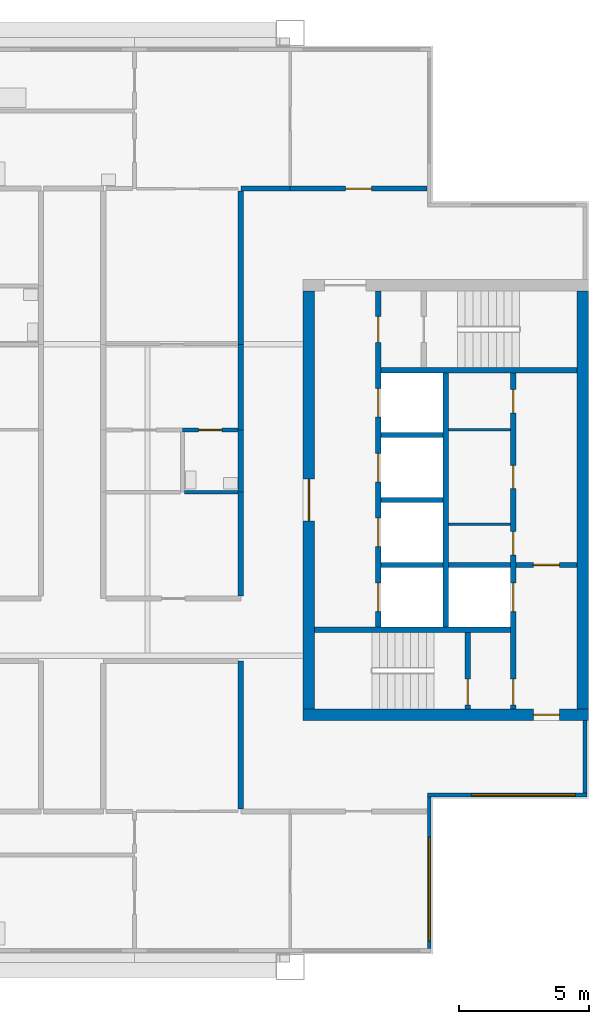
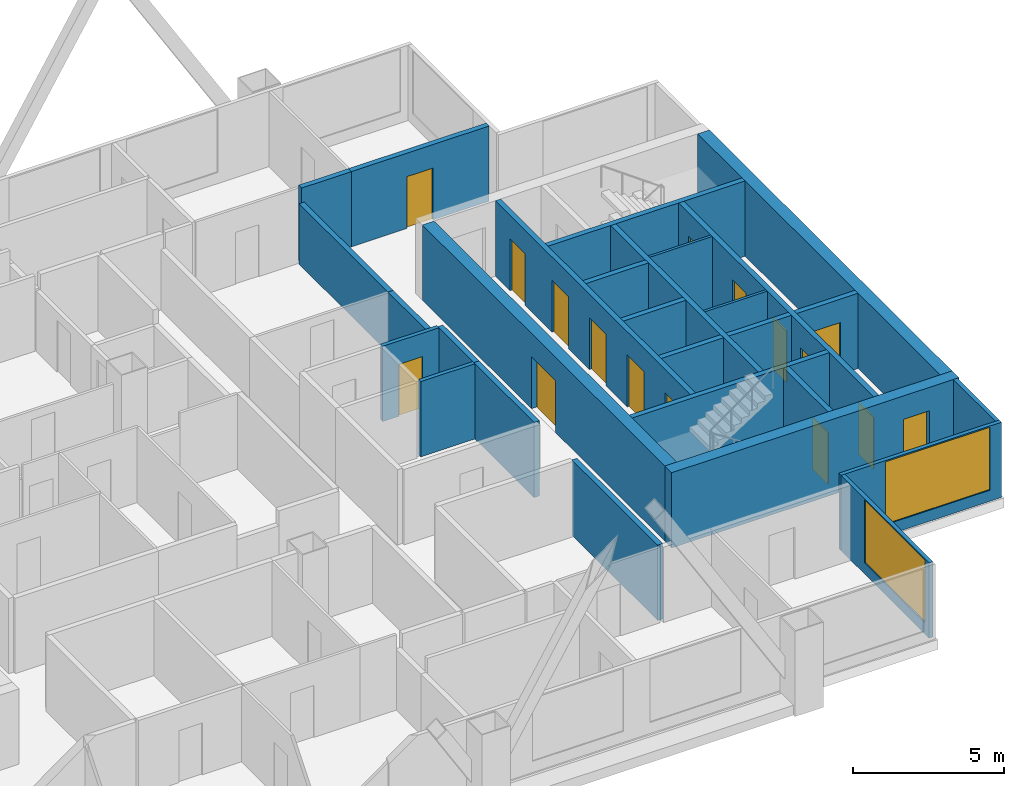
# One storey, part 5 of 9: 28 walls, 16 doors, 2 windows, 18 openings.
"""IFC4 building model written with IfcOpenShell, lengths in metres."""

from ifc_helpers import new_model, si_unit, direction, frame, frame_2d, origin, place, context, subcontext, project, spatial, rectangle, extrude, material, layer, layer_set, type_object, element, fill, save


model = new_model("IFC4")

# Units and contexts
model_context = context("Model", 3, precision=1e-05, world=origin(), true_north=direction((0.0, 1.0)))
body_context = subcontext(model_context, "Body", "Model", "MODEL_VIEW")
ifc_project = project(units=[si_unit("LENGTHUNIT", "METRE"), si_unit("AREAUNIT", "SQUARE_METRE"), si_unit("VOLUMEUNIT", "CUBIC_METRE"), si_unit("PLANEANGLEUNIT", "RADIAN"), si_unit("MASSUNIT", "GRAM", prefix="KILO")], contexts=[model_context])

# Site, building, storey
site_placement = place(None, origin())
site = spatial("IfcSite", under=ifc_project, at=site_placement, CompositionType="ELEMENT")
building_placement = place(site_placement, origin())
building = spatial("IfcBuilding", under=site, at=building_placement, Name="Kitamizu Gate Tower and Museum", CompositionType="ELEMENT")
storey_placement = place(building_placement, frame((0.0, 0.0, 217.949951171875)))
storey = spatial("IfcBuildingStorey", under=building, at=storey_placement, Name="L58", CompositionType="ELEMENT", Elevation=217.949951171875)

# Wall, opening, door
ifc_material_1 = material(Name="Concrete Fc42", Category="concrete")
ifc_layer_1 = layer(ifc_material_1, 0.449951171875)
ifc_layer_set_1 = layer_set([ifc_layer_1], Name="Concrete Fc42")
wall_type_1 = type_object("IfcWallType", Name="Core wall 450", PredefinedType="SHEAR", material=ifc_layer_set_1)
wall_1_placement = place(storey_placement, frame((59.5, 21.72509765625, 0.0), z_axis=(0.0, 0.0, 1.0), x_axis=(-1.0, 0.0, 0.0)))
wall_1 = element("IfcWall", 1, at=wall_1_placement, inside=storey, type_object=wall_type_1, Name="Core wall ES", PredefinedType="SHEAR", context=body_context, shape_type="SweptSolid", body=[
    extrude(rectangle(XDim=11.0, YDim=0.449951171875, at=frame_2d((5.5, 0.0))), origin(), (0.0, 0.0, 1.0), 3.050048828125),
])
opening_1_placement = place(wall_1_placement, frame((1.125, 0.0, 0.0)))
opening_1 = element("IfcOpeningElement", 2, at=opening_1_placement, cuts=wall_1, Name="Opening L58-050", PredefinedType="OPENING", context=body_context, shape_type="SweptSolid", body=[
    extrude(rectangle(XDim=1.0, YDim=2.10009765625, at=frame_2d((0.5, 1.050048828125))), frame((0.0, 0.23486328125, 0.0), z_axis=(0.0, -1.0, 0.0), x_axis=(1.0, 0.0, 0.0)), (0.0, 0.0, 1.0), 0.469970703125),
])
ifc_material_2 = material(Name="Hollow metal door set")
door_type_1 = type_object("IfcDoorType", Name="Fire door 1000", OperationType="NOTDEFINED", PredefinedType="DOOR", material=ifc_material_2)
door_1_placement = place(opening_1_placement, frame((1.0, 0.0, 0.0), x_axis=(-1.0, 0.0, 0.0)))
door_1 = element("IfcDoor", 3, at=door_1_placement, inside=storey, type_object=door_type_1, Name="Fire-fighting lobby door L58-050", OperationType="SINGLE_SWING_LEFT", OverallHeight=2.10009765625, OverallWidth=1.0, PredefinedType="DOOR", context=body_context, shape_type="SweptSolid", body=[
    extrude(rectangle(XDim=1.0, YDim=2.10009765625, at=frame_2d((0.5, 1.050048828125))), frame((0.0, 0.02490234375, 0.0), z_axis=(0.0, -1.0, 0.0), x_axis=(1.0, 0.0, 0.0)), (0.0, 0.0, 1.0), 0.050048828125),
])
fill(opening_1, door_1)

# Wall
wall_2_placement = place(storey_placement, frame((59.27490234375, 21.949951171875, 0.0), z_axis=(0.0, 0.0, 1.0), x_axis=(0.0, 1.0, 0.0)))
element("IfcWall", 4, at=wall_2_placement, inside=storey, type_object=wall_type_1, Name="Core wall EOUT", PredefinedType="SHEAR", context=body_context, shape_type="SweptSolid", body=[
    extrude(rectangle(XDim=16.10009765625, YDim=0.449951171875, at=frame_2d((8.050048828125, 0.0))), origin(), (0.0, 0.0, 1.0), 3.050048828125),
])

# Wall, opening, door
wall_3_placement = place(storey_placement, frame((48.72509765625, 21.949951171875, 0.0), z_axis=(0.0, 0.0, 1.0), x_axis=(0.0, 1.0, 0.0)))
wall_3 = element("IfcWall", 5, at=wall_3_placement, inside=storey, type_object=wall_type_1, Name="Core wall EARC", PredefinedType="SHEAR", context=body_context, shape_type="SweptSolid", body=[
    extrude(rectangle(XDim=16.10009765625, YDim=0.449951171875, at=frame_2d((8.050048828125, 0.0))), origin(), (0.0, 0.0, 1.0), 3.050048828125),
])
opening_2_placement = place(wall_3_placement, frame((7.25, 0.0, 0.0)))
opening_2 = element("IfcOpeningElement", 6, at=opening_2_placement, cuts=wall_3, Name="Opening L58-052", PredefinedType="OPENING", context=body_context, shape_type="SweptSolid", body=[
    extrude(rectangle(XDim=1.60009765625, YDim=2.10009765625, at=frame_2d((0.800048828125, 1.050048828125))), frame((0.0, 0.23486328125, 0.0), z_axis=(0.0, -1.0, 0.0), x_axis=(1.0, 0.0, 0.0)), (0.0, 0.0, 1.0), 0.469970703125),
])
ifc_material_3 = material(Name="Timber door set", Category="wood")
door_type_2 = type_object("IfcDoorType", Name="Entrance door 1600", OperationType="DOUBLE_DOOR_SINGLE_SWING", PredefinedType="DOOR", material=ifc_material_3)
door_2_placement = place(opening_2_placement, origin())
door_2 = element("IfcDoor", 7, at=door_2_placement, inside=storey, type_object=door_type_2, Name="Lobby door L58-052", OperationType="DOUBLE_DOOR_SINGLE_SWING", OverallHeight=2.10009765625, OverallWidth=1.60009765625, PredefinedType="DOOR", context=body_context, shape_type="SweptSolid", body=[
    extrude(rectangle(XDim=1.60009765625, YDim=2.10009765625, at=frame_2d((0.800048828125, 1.050048828125))), frame((0.0, 0.02490234375, 0.0), z_axis=(0.0, -1.0, 0.0), x_axis=(1.0, 0.0, 0.0)), (0.0, 0.0, 1.0), 0.050048828125),
])
fill(opening_2, door_2)

# Walls
ifc_material_4 = material(Name="Gypsum board on galvanised stud")
ifc_layer_2 = layer(ifc_material_4, 0.10009765625)
ifc_layer_set_2 = layer_set([ifc_layer_2], Name="Gypsum board on galvanised stud")
wall_type_2 = type_object("IfcWallType", Name="Partition 100", PredefinedType="PARTITIONING", material=ifc_layer_set_2)
for number, where, z_axis, x_axis, name in (
    (8, (56.5, 29.06005859375, 0.0), (0.0, 0.0, 1.0), (-1.0, 0.0, 0.0), "Partition EPF1"),
    (9, (56.5, 32.7099609375, 0.0), (0.0, 0.0, 1.0), (-1.0, 0.0, 0.0), "Partition EPF2"),
):
    element("IfcWall", number, at=place(storey_placement, frame(where, z_axis=z_axis, x_axis=x_axis)), inside=storey, type_object=wall_type_2, Name=name, PredefinedType="PARTITIONING", context=body_context, shape_type="SweptSolid", body=[
        extrude(rectangle(XDim=2.39990234375, YDim=0.10009765625, at=frame_2d((1.199951171875, 0.0))), origin(), (0.0, 0.0, 1.0), 3.050048828125),
    ])

# Wall, opening, door
ifc_material_5 = material(Name="Gypsum board on galvanised stud")
ifc_layer_3 = layer(ifc_material_5, 0.14990234375)
ifc_layer_set_3 = layer_set([ifc_layer_3], Name="Gypsum board on galvanised stud")
wall_type_3 = type_object("IfcWallType", Name="Partition 150", PredefinedType="PARTITIONING", material=ifc_layer_set_3)
wall_4_placement = place(storey_placement, frame((43.85009765625, 32.699951171875, 0.0), z_axis=(0.0, 0.0, 1.0), x_axis=(1.0, 0.0, 0.0)))
wall_4 = element("IfcWall", 10, at=wall_4_placement, inside=storey, type_object=wall_type_3, Name="Partition L58-083", PredefinedType="PARTITIONING", context=body_context, shape_type="SweptSolid", body=[
    extrude(rectangle(XDim=2.14990234375, YDim=0.14990234375, at=frame_2d((1.074951171875, 0.0))), origin(), (0.0, 0.0, 1.0), 3.050048828125),
])
opening_3_placement = place(wall_4_placement, frame((0.625, 0.0, 0.0)))
opening_3 = element("IfcOpeningElement", 11, at=opening_3_placement, cuts=wall_4, Name="Opening L58-031", PredefinedType="OPENING", context=body_context, shape_type="SweptSolid", body=[
    extrude(rectangle(XDim=0.89990234375, YDim=2.10009765625, at=frame_2d((0.449951171875, 1.050048828125))), frame((0.0, 0.0849609375, 0.0), z_axis=(0.0, -1.0, 0.0), x_axis=(1.0, 0.0, 0.0)), (0.0, 0.0, 1.0), 0.169921875),
])
ifc_material_6 = material(Name="Timber door set", Category="wood")
door_type_3 = type_object("IfcDoorType", Name="Bathroom door 900", OperationType="NOTDEFINED", PredefinedType="DOOR", material=ifc_material_6)
door_3_placement = place(opening_3_placement, frame((0.89990234375, 0.0, 0.0), x_axis=(-1.0, 0.0, 0.0)))
door_3 = element("IfcDoor", 12, at=door_3_placement, inside=storey, type_object=door_type_3, Name="Bathroom door L58-031", OperationType="SINGLE_SWING_RIGHT", OverallHeight=2.10009765625, OverallWidth=0.89990234375, PredefinedType="DOOR", context=body_context, shape_type="SweptSolid", body=[
    extrude(rectangle(XDim=0.89990234375, YDim=2.10009765625, at=frame_2d((0.449951171875, 1.050048828125))), frame((0.0, 0.02490234375, 0.0), z_axis=(0.0, -1.0, 0.0), x_axis=(1.0, 0.0, 0.0)), (0.0, 0.0, 1.0), 0.050048828125),
])
fill(opening_3, door_3)

# Walls
wall_5_placement = place(storey_placement, frame((43.925048828125, 30.300048828125, 0.0), z_axis=(0.0, 0.0, 1.0), x_axis=(1.0, 0.0, 0.0)))
element("IfcWall", 13, at=wall_5_placement, inside=storey, type_object=wall_type_3, Name="Partition L58-088", PredefinedType="PARTITIONING", context=body_context, shape_type="SweptSolid", body=[
    extrude(rectangle(XDim=2.074951171875, YDim=0.14990234375, at=frame_2d((1.03759765625, 0.0))), origin(), (0.0, 0.0, 1.0), 3.050048828125),
])
ifc_material_7 = material(Name="Gypsum board on galvanised stud")
ifc_layer_4 = layer(ifc_material_7, 0.199951171875)
ifc_layer_set_4 = layer_set([ifc_layer_4], Name="Gypsum board on galvanised stud")
wall_type_4 = type_object("IfcWallType", Name="Partition 200", PredefinedType="PARTITIONING", material=ifc_layer_set_4)
wall_6_placement = place(storey_placement, frame((46.10009765625, 18.10009765625, 0.0), z_axis=(0.0, 0.0, 1.0), x_axis=(0.0, 1.0, 0.0)))
element("IfcWall", 14, at=wall_6_placement, inside=storey, type_object=wall_type_4, Name="Partition L58-028", PredefinedType="PARTITIONING", context=body_context, shape_type="SweptSolid", body=[
    extrude(rectangle(XDim=5.699951171875, YDim=0.199951171875, at=frame_2d((2.85009765625, 0.0))), origin(), (0.0, 0.0, 1.0), 3.050048828125),
])
wall_7_placement = place(storey_placement, frame((46.10009765625, 42.0, 0.0), z_axis=(0.0, 0.0, 1.0), x_axis=(1.0, 0.0, 0.0)))
element("IfcWall", 15, at=wall_7_placement, inside=storey, type_object=wall_type_4, Name="Partition L58-078", PredefinedType="PARTITIONING", context=body_context, shape_type="SweptSolid", body=[
    extrude(rectangle(XDim=1.89990234375, YDim=0.199951171875, at=frame_2d((0.949951171875, 0.0))), origin(), (0.0, 0.0, 1.0), 3.050048828125),
])

# Wall, opening, door
wall_8_placement = place(storey_placement, frame((48.0, 42.0, 0.0), z_axis=(0.0, 0.0, 1.0), x_axis=(1.0, 0.0, 0.0)))
wall_8 = element("IfcWall", 16, at=wall_8_placement, inside=storey, type_object=wall_type_4, Name="Partition L58-079", PredefinedType="PARTITIONING", context=body_context, shape_type="SweptSolid", body=[
    extrude(rectangle(XDim=5.280029296875, YDim=0.199951171875, at=frame_2d((2.64013671875, 0.0))), origin(), (0.0, 0.0, 1.0), 3.050048828125),
])
opening_4_placement = place(wall_8_placement, frame((2.139892578125, 0.0, 0.0)))
opening_4 = element("IfcOpeningElement", 17, at=opening_4_placement, cuts=wall_8, Name="Opening L58-025", PredefinedType="OPENING", context=body_context, shape_type="SweptSolid", body=[
    extrude(rectangle(XDim=1.0, YDim=2.10009765625, at=frame_2d((0.5, 1.050048828125))), frame((0.0, 0.10986328125, 0.0), z_axis=(0.0, -1.0, 0.0), x_axis=(1.0, 0.0, 0.0)), (0.0, 0.0, 1.0), 0.219970703125),
])
ifc_material_8 = material(Name="Timber door set", Category="wood")
door_type_4 = type_object("IfcDoorType", Name="Flat entrance door 1000", OperationType="NOTDEFINED", PredefinedType="DOOR", material=ifc_material_8)
door_4_placement = place(opening_4_placement, origin())
door_4 = element("IfcDoor", 18, at=door_4_placement, inside=storey, type_object=door_type_4, Name="Flat entrance door L58-025", OperationType="SINGLE_SWING_LEFT", OverallHeight=2.10009765625, OverallWidth=1.0, PredefinedType="DOOR", context=body_context, shape_type="SweptSolid", body=[
    extrude(rectangle(XDim=1.0, YDim=2.10009765625, at=frame_2d((0.5, 1.050048828125))), frame((0.0, 0.02490234375, 0.0), z_axis=(0.0, -1.0, 0.0), x_axis=(1.0, 0.0, 0.0)), (0.0, 0.0, 1.0), 0.050048828125),
])
fill(opening_4, door_4)

# Walls
wall_9_placement = place(storey_placement, frame((46.10009765625, 36.0, 0.0), z_axis=(0.0, 0.0, 1.0), x_axis=(0.0, 1.0, 0.0)))
element("IfcWall", 19, at=wall_9_placement, inside=storey, type_object=wall_type_4, Name="Partition L58-082", PredefinedType="PARTITIONING", context=body_context, shape_type="SweptSolid", body=[
    extrude(rectangle(XDim=5.89990234375, YDim=0.199951171875, at=frame_2d((2.949951171875, 0.0))), origin(), (0.0, 0.0, 1.0), 2.449951171875),
])
wall_10_placement = place(storey_placement, frame((46.10009765625, 32.699951171875, 0.0), z_axis=(0.0, 0.0, 1.0), x_axis=(0.0, 1.0, 0.0)))
element("IfcWall", 20, at=wall_10_placement, inside=storey, type_object=wall_type_4, Name="Partition L58-086", PredefinedType="PARTITIONING", context=body_context, shape_type="SweptSolid", body=[
    extrude(rectangle(XDim=3.300048828125, YDim=0.199951171875, at=frame_2d((1.64990234375, 0.0))), origin(), (0.0, 0.0, 1.0), 2.449951171875),
])
wall_11_placement = place(storey_placement, frame((46.10009765625, 30.300048828125, 0.0), z_axis=(0.0, 0.0, 1.0), x_axis=(0.0, 1.0, 0.0)))
element("IfcWall", 21, at=wall_11_placement, inside=storey, type_object=wall_type_4, Name="Partition L58-089", PredefinedType="PARTITIONING", context=body_context, shape_type="SweptSolid", body=[
    extrude(rectangle(XDim=2.39990234375, YDim=0.199951171875, at=frame_2d((1.199951171875, 0.0))), origin(), (0.0, 0.0, 1.0), 3.050048828125),
])
wall_12_placement = place(storey_placement, frame((46.10009765625, 26.300048828125, 0.0), z_axis=(0.0, 0.0, 1.0), x_axis=(0.0, 1.0, 0.0)))
element("IfcWall", 22, at=wall_12_placement, inside=storey, type_object=wall_type_4, Name="Partition L58-094", PredefinedType="PARTITIONING", context=body_context, shape_type="SweptSolid", body=[
    extrude(rectangle(XDim=4.0, YDim=0.199951171875, at=frame_2d((2.0, 0.0))), origin(), (0.0, 0.0, 1.0), 3.050048828125),
])

# Wall, openings, doors
ifc_material_9 = material(Name="Concrete Fc42", Category="concrete")
ifc_layer_5 = layer(ifc_material_9, 0.199951171875)
ifc_layer_set_5 = layer_set([ifc_layer_5], Name="Concrete Fc42")
wall_type_5 = type_object("IfcWallType", Name="Shaft wall 200", PredefinedType="SOLIDWALL", material=ifc_layer_set_5)
wall_13_placement = place(storey_placement, frame((56.60009765625, 21.949951171875, 0.0), z_axis=(0.0, 0.0, 1.0), x_axis=(0.0, 1.0, 0.0)))
wall_13 = element("IfcWall", 23, at=wall_13_placement, inside=storey, type_object=wall_type_5, Name="Shaft wall EWEST", PredefinedType="SOLIDWALL", context=body_context, shape_type="SweptSolid", body=[
    extrude(rectangle(XDim=12.949951171875, YDim=0.199951171875, at=frame_2d((6.47509765625, 0.0))), origin(), (0.0, 0.0, 1.0), 3.050048828125),
])
opening_5_placement = place(wall_13_placement, frame((3.75, 0.0, 0.0)))
opening_5 = element("IfcOpeningElement", 24, at=opening_5_placement, cuts=wall_13, Name="Opening LD", PredefinedType="OPENING", context=body_context, shape_type="SweptSolid", body=[
    extrude(rectangle(XDim=1.10009765625, YDim=2.10009765625, at=frame_2d((0.550048828125, 1.050048828125))), frame((0.0, 0.10986328125, 0.0), z_axis=(0.0, -1.0, 0.0), x_axis=(1.0, 0.0, 0.0)), (0.0, 0.0, 1.0), 0.219970703125),
])
opening_6_placement = place(wall_13_placement, frame((0.14990234375, 0.0, 0.0)))
opening_6 = element("IfcOpeningElement", 25, at=opening_6_placement, cuts=wall_13, Name="Opening L58-046", PredefinedType="OPENING", context=body_context, shape_type="SweptSolid", body=[
    extrude(rectangle(XDim=1.0, YDim=2.10009765625, at=frame_2d((0.5, 1.050048828125))), frame((0.0, 0.10986328125, 0.0), z_axis=(0.0, -1.0, 0.0), x_axis=(1.0, 0.0, 0.0)), (0.0, 0.0, 1.0), 0.219970703125),
])
opening_7_placement = place(wall_13_placement, frame((5.929931640625, 0.0, 0.0)))
opening_7 = element("IfcOpeningElement", 26, at=opening_7_placement, cuts=wall_13, Name="Opening L58-053", PredefinedType="OPENING", context=body_context, shape_type="SweptSolid", body=[
    extrude(rectangle(XDim=0.89990234375, YDim=2.10009765625, at=frame_2d((0.449951171875, 1.050048828125))), frame((0.0, 0.10986328125, 0.0), z_axis=(0.0, -1.0, 0.0), x_axis=(1.0, 0.0, 0.0)), (0.0, 0.0, 1.0), 0.219970703125),
])
opening_8_placement = place(wall_13_placement, frame((8.485107421875, 0.0, 0.0)))
opening_8 = element("IfcOpeningElement", 27, at=opening_8_placement, cuts=wall_13, Name="Opening L58-054", PredefinedType="OPENING", context=body_context, shape_type="SweptSolid", body=[
    extrude(rectangle(XDim=0.89990234375, YDim=2.10009765625, at=frame_2d((0.449951171875, 1.050048828125))), frame((0.0, 0.10986328125, 0.0), z_axis=(0.0, -1.0, 0.0), x_axis=(1.0, 0.0, 0.0)), (0.0, 0.0, 1.0), 0.219970703125),
])
opening_9_placement = place(wall_13_placement, frame((11.405029296875, 0.0, 0.0)))
opening_9 = element("IfcOpeningElement", 28, at=opening_9_placement, cuts=wall_13, Name="Opening L58-055", PredefinedType="OPENING", context=body_context, shape_type="SweptSolid", body=[
    extrude(rectangle(XDim=0.89990234375, YDim=2.10009765625, at=frame_2d((0.449951171875, 1.050048828125))), frame((0.0, 0.10986328125, 0.0), z_axis=(0.0, -1.0, 0.0), x_axis=(1.0, 0.0, 0.0)), (0.0, 0.0, 1.0), 0.219970703125),
])
door_5_placement = place(opening_6_placement, origin())
door_5 = element("IfcDoor", 29, at=door_5_placement, inside=storey, type_object=door_type_1, Name="Stair lobby door L58-046", OperationType="SINGLE_SWING_RIGHT", OverallHeight=2.10009765625, OverallWidth=1.0, PredefinedType="DOOR", context=body_context, shape_type="SweptSolid", body=[
    extrude(rectangle(XDim=1.0, YDim=2.10009765625, at=frame_2d((0.5, 1.050048828125))), frame((0.0, 0.02490234375, 0.0), z_axis=(0.0, -1.0, 0.0), x_axis=(1.0, 0.0, 0.0)), (0.0, 0.0, 1.0), 0.050048828125),
])
fill(opening_6, door_5)
ifc_material_10 = material(Name="Hollow metal door set")
door_type_5 = type_object("IfcDoorType", Name="Landing door 1100", OperationType="SLIDING_TO_LEFT", PredefinedType="DOOR", material=ifc_material_10)
door_6_placement = place(opening_5_placement, origin())
door_6 = element("IfcDoor", 30, at=door_6_placement, inside=storey, type_object=door_type_5, Name="Landing door EFF1", OperationType="SLIDING_TO_LEFT", OverallHeight=2.10009765625, OverallWidth=1.10009765625, PredefinedType="DOOR", context=body_context, shape_type="SweptSolid", body=[
    extrude(rectangle(XDim=1.10009765625, YDim=2.10009765625, at=frame_2d((0.550048828125, 1.050048828125))), frame((0.0, 0.02490234375, 0.0), z_axis=(0.0, -1.0, 0.0), x_axis=(1.0, 0.0, 0.0)), (0.0, 0.0, 1.0), 0.050048828125),
])
fill(opening_5, door_6)
ifc_material_11 = material(Name="Timber door set", Category="wood")
door_type_6 = type_object("IfcDoorType", Name="Service door 900", OperationType="NOTDEFINED", PredefinedType="DOOR", material=ifc_material_11)
door_7_placement = place(opening_7_placement, origin())
door_7 = element("IfcDoor", 31, at=door_7_placement, inside=storey, type_object=door_type_6, Name="Service door L58-053", OperationType="SINGLE_SWING_LEFT", OverallHeight=2.10009765625, OverallWidth=0.89990234375, PredefinedType="DOOR", context=body_context, shape_type="SweptSolid", body=[
    extrude(rectangle(XDim=0.89990234375, YDim=2.10009765625, at=frame_2d((0.449951171875, 1.050048828125))), frame((0.0, 0.02490234375, 0.0), z_axis=(0.0, -1.0, 0.0), x_axis=(1.0, 0.0, 0.0)), (0.0, 0.0, 1.0), 0.050048828125),
])
fill(opening_7, door_7)
door_8_placement = place(opening_8_placement, origin())
door_8 = element("IfcDoor", 32, at=door_8_placement, inside=storey, type_object=door_type_6, Name="Service door L58-054", OperationType="SINGLE_SWING_RIGHT", OverallHeight=2.10009765625, OverallWidth=0.89990234375, PredefinedType="DOOR", context=body_context, shape_type="SweptSolid", body=[
    extrude(rectangle(XDim=0.89990234375, YDim=2.10009765625, at=frame_2d((0.449951171875, 1.050048828125))), frame((0.0, 0.02490234375, 0.0), z_axis=(0.0, -1.0, 0.0), x_axis=(1.0, 0.0, 0.0)), (0.0, 0.0, 1.0), 0.050048828125),
])
fill(opening_8, door_8)
door_9_placement = place(opening_9_placement, origin())
door_9 = element("IfcDoor", 33, at=door_9_placement, inside=storey, type_object=door_type_6, Name="Service door L58-055", OperationType="SINGLE_SWING_LEFT", OverallHeight=2.10009765625, OverallWidth=0.89990234375, PredefinedType="DOOR", context=body_context, shape_type="SweptSolid", body=[
    extrude(rectangle(XDim=0.89990234375, YDim=2.10009765625, at=frame_2d((0.449951171875, 1.050048828125))), frame((0.0, 0.02490234375, 0.0), z_axis=(0.0, -1.0, 0.0), x_axis=(1.0, 0.0, 0.0)), (0.0, 0.0, 1.0), 0.050048828125),
])
fill(opening_9, door_9)

wall_14_placement = place(storey_placement, frame((51.39990234375, 25.10009765625, 0.0), z_axis=(0.0, 0.0, 1.0), x_axis=(0.0, 1.0, 0.0)))
wall_14 = element("IfcWall", 34, at=wall_14_placement, inside=storey, type_object=wall_type_5, Name="Shaft wall EEAST", PredefinedType="SOLIDWALL", context=body_context, shape_type="SweptSolid", body=[
    extrude(rectangle(XDim=12.949951171875, YDim=0.199951171875, at=frame_2d((6.47509765625, 0.0))), origin(), (0.0, 0.0, 1.0), 3.050048828125),
])
opening_10_placement = place(wall_14_placement, frame((0.60009765625, 0.0, 0.0)))
opening_10 = element("IfcOpeningElement", 35, at=opening_10_placement, cuts=wall_14, Name="Opening LD", PredefinedType="OPENING", context=body_context, shape_type="SweptSolid", body=[
    extrude(rectangle(XDim=1.10009765625, YDim=2.10009765625, at=frame_2d((0.550048828125, 1.050048828125))), frame((0.0, 0.10986328125, 0.0), z_axis=(0.0, -1.0, 0.0), x_axis=(1.0, 0.0, 0.0)), (0.0, 0.0, 1.0), 0.219970703125),
])
opening_11_placement = place(wall_14_placement, frame((3.10009765625, 0.0, 0.0)))
opening_11 = element("IfcOpeningElement", 36, at=opening_11_placement, cuts=wall_14, Name="Opening LD", PredefinedType="OPENING", context=body_context, shape_type="SweptSolid", body=[
    extrude(rectangle(XDim=1.10009765625, YDim=2.10009765625, at=frame_2d((0.550048828125, 1.050048828125))), frame((0.0, 0.10986328125, 0.0), z_axis=(0.0, -1.0, 0.0), x_axis=(1.0, 0.0, 0.0)), (0.0, 0.0, 1.0), 0.219970703125),
])
opening_12_placement = place(wall_14_placement, frame((5.60009765625, 0.0, 0.0)))
opening_12 = element("IfcOpeningElement", 37, at=opening_12_placement, cuts=wall_14, Name="Opening LD", PredefinedType="OPENING", context=body_context, shape_type="SweptSolid", body=[
    extrude(rectangle(XDim=1.10009765625, YDim=2.10009765625, at=frame_2d((0.550048828125, 1.050048828125))), frame((0.0, 0.10986328125, 0.0), z_axis=(0.0, -1.0, 0.0), x_axis=(1.0, 0.0, 0.0)), (0.0, 0.0, 1.0), 0.219970703125),
])
opening_13_placement = place(wall_14_placement, frame((8.10009765625, 0.0, 0.0)))
opening_13 = element("IfcOpeningElement", 38, at=opening_13_placement, cuts=wall_14, Name="Opening LD", PredefinedType="OPENING", context=body_context, shape_type="SweptSolid", body=[
    extrude(rectangle(XDim=1.10009765625, YDim=2.10009765625, at=frame_2d((0.550048828125, 1.050048828125))), frame((0.0, 0.10986328125, 0.0), z_axis=(0.0, -1.0, 0.0), x_axis=(1.0, 0.0, 0.0)), (0.0, 0.0, 1.0), 0.219970703125),
])
opening_14_placement = place(wall_14_placement, frame((10.97509765625, 0.0, 0.0)))
opening_14 = element("IfcOpeningElement", 39, at=opening_14_placement, cuts=wall_14, Name="Opening L58-047", PredefinedType="OPENING", context=body_context, shape_type="SweptSolid", body=[
    extrude(rectangle(XDim=1.0, YDim=2.10009765625, at=frame_2d((0.5, 1.050048828125))), frame((0.0, 0.10986328125, 0.0), z_axis=(0.0, -1.0, 0.0), x_axis=(1.0, 0.0, 0.0)), (0.0, 0.0, 1.0), 0.219970703125),
])
door_10_placement = place(opening_14_placement, frame((1.0, 0.0, 0.0), x_axis=(-1.0, 0.0, 0.0)))
door_10 = element("IfcDoor", 40, at=door_10_placement, inside=storey, type_object=door_type_1, Name="Stair lobby door L58-047", OperationType="SINGLE_SWING_RIGHT", OverallHeight=2.10009765625, OverallWidth=1.0, PredefinedType="DOOR", context=body_context, shape_type="SweptSolid", body=[
    extrude(rectangle(XDim=1.0, YDim=2.10009765625, at=frame_2d((0.5, 1.050048828125))), frame((0.0, 0.02490234375, 0.0), z_axis=(0.0, -1.0, 0.0), x_axis=(1.0, 0.0, 0.0)), (0.0, 0.0, 1.0), 0.050048828125),
])
fill(opening_14, door_10)
door_11_placement = place(opening_10_placement, origin())
door_11 = element("IfcDoor", 41, at=door_11_placement, inside=storey, type_object=door_type_5, Name="Landing door ESV1", OperationType="SLIDING_TO_LEFT", OverallHeight=2.10009765625, OverallWidth=1.10009765625, PredefinedType="DOOR", context=body_context, shape_type="SweptSolid", body=[
    extrude(rectangle(XDim=1.10009765625, YDim=2.10009765625, at=frame_2d((0.550048828125, 1.050048828125))), frame((0.0, 0.02490234375, 0.0), z_axis=(0.0, -1.0, 0.0), x_axis=(1.0, 0.0, 0.0)), (0.0, 0.0, 1.0), 0.050048828125),
])
fill(opening_10, door_11)
door_12_placement = place(opening_11_placement, origin())
door_12 = element("IfcDoor", 42, at=door_12_placement, inside=storey, type_object=door_type_5, Name="Landing door EH1", OperationType="SLIDING_TO_LEFT", OverallHeight=2.10009765625, OverallWidth=1.10009765625, PredefinedType="DOOR", context=body_context, shape_type="SweptSolid", body=[
    extrude(rectangle(XDim=1.10009765625, YDim=2.10009765625, at=frame_2d((0.550048828125, 1.050048828125))), frame((0.0, 0.02490234375, 0.0), z_axis=(0.0, -1.0, 0.0), x_axis=(1.0, 0.0, 0.0)), (0.0, 0.0, 1.0), 0.050048828125),
])
fill(opening_11, door_12)
door_13_placement = place(opening_12_placement, origin())
door_13 = element("IfcDoor", 43, at=door_13_placement, inside=storey, type_object=door_type_5, Name="Landing door EH2", OperationType="SLIDING_TO_LEFT", OverallHeight=2.10009765625, OverallWidth=1.10009765625, PredefinedType="DOOR", context=body_context, shape_type="SweptSolid", body=[
    extrude(rectangle(XDim=1.10009765625, YDim=2.10009765625, at=frame_2d((0.550048828125, 1.050048828125))), frame((0.0, 0.02490234375, 0.0), z_axis=(0.0, -1.0, 0.0), x_axis=(1.0, 0.0, 0.0)), (0.0, 0.0, 1.0), 0.050048828125),
])
fill(opening_12, door_13)
door_14_placement = place(opening_13_placement, origin())
door_14 = element("IfcDoor", 44, at=door_14_placement, inside=storey, type_object=door_type_5, Name="Landing door EH3", OperationType="SLIDING_TO_LEFT", OverallHeight=2.10009765625, OverallWidth=1.10009765625, PredefinedType="DOOR", context=body_context, shape_type="SweptSolid", body=[
    extrude(rectangle(XDim=1.10009765625, YDim=2.10009765625, at=frame_2d((0.550048828125, 1.050048828125))), frame((0.0, 0.02490234375, 0.0), z_axis=(0.0, -1.0, 0.0), x_axis=(1.0, 0.0, 0.0)), (0.0, 0.0, 1.0), 0.050048828125),
])
fill(opening_13, door_14)

# Walls
wall_15_placement = place(storey_placement, frame((54.0, 25.10009765625, 0.0), z_axis=(0.0, 0.0, 1.0), x_axis=(0.0, 1.0, 0.0)))
element("IfcWall", 45, at=wall_15_placement, inside=storey, type_object=wall_type_5, Name="Shaft wall EMID", PredefinedType="SOLIDWALL", context=body_context, shape_type="SweptSolid", body=[
    extrude(rectangle(XDim=9.7998046875, YDim=0.199951171875, at=frame_2d((4.89990234375, 0.0))), origin(), (0.0, 0.0, 1.0), 3.050048828125),
])
for number, where, z_axis, x_axis, name in (
    (46, (56.5, 25.0, 0.0), (0.0, 0.0, 1.0), (-1.0, 0.0, 0.0), "Shaft wall ESB"),
    (47, (59.050048828125, 35.0, 0.0), (0.0, 0.0, 1.0), (-1.0, 0.0, 0.0), "Shaft wall ENB"),
):
    element("IfcWall", number, at=place(storey_placement, frame(where, z_axis=z_axis, x_axis=x_axis)), inside=storey, type_object=wall_type_5, Name=name, PredefinedType="SOLIDWALL", context=body_context, shape_type="SweptSolid", body=[
        extrude(rectangle(XDim=7.550048828125, YDim=0.199951171875, at=frame_2d((3.77490234375, 0.0))), origin(), (0.0, 0.0, 1.0), 3.050048828125),
    ])

# Wall, opening, door
wall_16_placement = place(storey_placement, frame((59.050048828125, 27.5, 0.0), z_axis=(0.0, 0.0, 1.0), x_axis=(-1.0, 0.0, 0.0)))
wall_16 = element("IfcWall", 48, at=wall_16_placement, inside=storey, type_object=wall_type_5, Name="Shaft wall EFFN", PredefinedType="SOLIDWALL", context=body_context, shape_type="SweptSolid", body=[
    extrude(rectangle(XDim=2.35009765625, YDim=0.199951171875, at=frame_2d((1.175048828125, 0.0))), origin(), (0.0, 0.0, 1.0), 3.050048828125),
])
opening_15_placement = place(wall_16_placement, frame((0.675048828125, 0.0, 0.0)))
opening_15 = element("IfcOpeningElement", 49, at=opening_15_placement, cuts=wall_16, Name="Opening L58-049", PredefinedType="OPENING", context=body_context, shape_type="SweptSolid", body=[
    extrude(rectangle(XDim=1.0, YDim=2.10009765625, at=frame_2d((0.5, 1.050048828125))), frame((0.0, 0.10986328125, 0.0), z_axis=(0.0, -1.0, 0.0), x_axis=(1.0, 0.0, 0.0)), (0.0, 0.0, 1.0), 0.219970703125),
])
door_15_placement = place(opening_15_placement, origin())
door_15 = element("IfcDoor", 50, at=door_15_placement, inside=storey, type_object=door_type_1, Name="Fire-fighting lobby door L58-049", OperationType="SINGLE_SWING_LEFT", OverallHeight=2.10009765625, OverallWidth=1.0, PredefinedType="DOOR", context=body_context, shape_type="SweptSolid", body=[
    extrude(rectangle(XDim=1.0, YDim=2.10009765625, at=frame_2d((0.5, 1.050048828125))), frame((0.0, 0.02490234375, 0.0), z_axis=(0.0, -1.0, 0.0), x_axis=(1.0, 0.0, 0.0)), (0.0, 0.0, 1.0), 0.050048828125),
])
fill(opening_15, door_15)

wall_17_placement = place(storey_placement, frame((54.85009765625, 21.949951171875, 0.0), z_axis=(0.0, 0.0, 1.0), x_axis=(0.0, 1.0, 0.0)))
wall_17 = element("IfcWall", 51, at=wall_17_placement, inside=storey, type_object=wall_type_5, Name="Shaft wall ESZ", PredefinedType="SOLIDWALL", context=body_context, shape_type="SweptSolid", body=[
    extrude(rectangle(XDim=2.949951171875, YDim=0.199951171875, at=frame_2d((1.47509765625, 0.0))), origin(), (0.0, 0.0, 1.0), 3.050048828125),
])
opening_16_placement = place(wall_17_placement, frame((0.14990234375, 0.0, 0.0)))
opening_16 = element("IfcOpeningElement", 52, at=opening_16_placement, cuts=wall_17, Name="Opening L58-045", PredefinedType="OPENING", context=body_context, shape_type="SweptSolid", body=[
    extrude(rectangle(XDim=1.0, YDim=2.10009765625, at=frame_2d((0.5, 1.050048828125))), frame((0.0, 0.10986328125, 0.0), z_axis=(0.0, -1.0, 0.0), x_axis=(1.0, 0.0, 0.0)), (0.0, 0.0, 1.0), 0.219970703125),
])
door_16_placement = place(opening_16_placement, origin())
door_16 = element("IfcDoor", 53, at=door_16_placement, inside=storey, type_object=door_type_1, Name="Stair door L58-045", OperationType="SINGLE_SWING_RIGHT", OverallHeight=2.10009765625, OverallWidth=1.0, PredefinedType="DOOR", context=body_context, shape_type="SweptSolid", body=[
    extrude(rectangle(XDim=1.0, YDim=2.10009765625, at=frame_2d((0.5, 1.050048828125))), frame((0.0, 0.02490234375, 0.0), z_axis=(0.0, -1.0, 0.0), x_axis=(1.0, 0.0, 0.0)), (0.0, 0.0, 1.0), 0.050048828125),
])
fill(opening_16, door_16)

# Walls
for number, where, z_axis, x_axis, name in (
    (54, (56.5, 27.5, 0.0), (0.0, 0.0, 1.0), (-1.0, 0.0, 0.0), "Shaft wall EDVW0"),
    (55, (53.89990234375, 27.5, 0.0), (0.0, 0.0, 1.0), (-1.0, 0.0, 0.0), "Shaft wall EDVE0"),
    (56, (53.89990234375, 30.0, 0.0), (0.0, 0.0, 1.0), (-1.0, 0.0, 0.0), "Shaft wall EDVE1"),
    (57, (53.89990234375, 32.5, 0.0), (0.0, 0.0, 1.0), (-1.0, 0.0, 0.0), "Shaft wall EDVE2"),
):
    element("IfcWall", number, at=place(storey_placement, frame(where, z_axis=z_axis, x_axis=x_axis)), inside=storey, type_object=wall_type_5, Name=name, PredefinedType="SOLIDWALL", context=body_context, shape_type="SweptSolid", body=[
        extrude(rectangle(XDim=2.39990234375, YDim=0.199951171875, at=frame_2d((1.199951171875, 0.0))), origin(), (0.0, 0.0, 1.0), 3.050048828125),
    ])

# Wall, opening, window
ifc_material_12 = material(Name="Bronze anodised aluminium frame with insulated spandrel and tinted glass", Category="aluminium")
ifc_layer_6 = layer(ifc_material_12, 0.14990234375)
ifc_layer_set_6 = layer_set([ifc_layer_6], Name="Bronze anodised aluminium frame with insulated spandrel and tinted glass")
wall_type_6 = type_object("IfcWallType", Name="WINDOW WALL 150 BRONZE FRAME EI 30", PredefinedType="ELEMENTEDWALL", material=ifc_layer_set_6)
wall_18_placement = place(storey_placement, frame((53.364990234375, 12.7099609375, 0.0), z_axis=(0.0, 0.0, 1.0), x_axis=(0.0, 1.0, 0.0)))
wall_18 = element("IfcWall", 58, at=wall_18_placement, inside=storey, type_object=wall_type_6, Name="Window wall east L58", PredefinedType="ELEMENTEDWALL", context=body_context, shape_type="SweptSolid", body=[
    extrude(rectangle(XDim=5.85009765625, YDim=0.14990234375, at=frame_2d((2.925048828125, 0.0))), origin(), (0.0, 0.0, 1.0), 3.050048828125),
])
opening_17_placement = place(wall_18_placement, frame((0.2900390625, 0.0, 0.449951171875)))
opening_17 = element("IfcOpeningElement", 59, at=opening_17_placement, cuts=wall_18, Name="Opening W16", PredefinedType="OPENING", context=body_context, shape_type="SweptSolid", body=[
    extrude(rectangle(XDim=4.0, YDim=2.550048828125, at=frame_2d((2.0, 1.27490234375))), frame((0.0, 0.0849609375, 0.0), z_axis=(0.0, -1.0, 0.0), x_axis=(1.0, 0.0, 0.0)), (0.0, 0.0, 1.0), 0.169921875),
])
ifc_material_13 = material(Name="Bronze anodised aluminium frame, tinted triple glazing", Category="aluminium")
window_type = type_object("IfcWindowType", Name="WINDOW 4000 x 2550 SILL 450", PartitioningType="SINGLE_PANEL", PredefinedType="WINDOW", material=ifc_material_13)
window_1_placement = place(opening_17_placement, origin())
window_1 = element("IfcWindow", 60, at=window_1_placement, inside=storey, type_object=window_type, Name="Window W16 L58", OverallHeight=2.550048828125, OverallWidth=4.0, PartitioningType="SINGLE_PANEL", PredefinedType="WINDOW", context=body_context, shape_type="SweptSolid", body=[
    extrude(rectangle(XDim=4.0, YDim=2.550048828125, at=frame_2d((2.0, 1.27490234375))), frame((0.0, 0.030029296875, 0.0), z_axis=(0.0, -1.0, 0.0), x_axis=(1.0, 0.0, 0.0)), (0.0, 0.0, 1.0), 0.06005859375),
])
fill(opening_17, window_1)

wall_19_placement = place(storey_placement, frame((53.2900390625, 18.635009765625, 0.0), z_axis=(0.0, 0.0, 1.0), x_axis=(1.0, 0.0, 0.0)))
wall_19 = element("IfcWall", 61, at=wall_19_placement, inside=storey, type_object=wall_type_6, Name="Window wall south L58", PredefinedType="ELEMENTEDWALL", context=body_context, shape_type="SweptSolid", body=[
    extrude(rectangle(XDim=6.14990234375, YDim=0.14990234375, at=frame_2d((3.074951171875, 0.0))), origin(), (0.0, 0.0, 1.0), 3.050048828125),
])
opening_18_placement = place(wall_19_placement, frame((1.7099609375, 0.0, 0.449951171875)))
opening_18 = element("IfcOpeningElement", 62, at=opening_18_placement, cuts=wall_19, Name="Opening W16", PredefinedType="OPENING", context=body_context, shape_type="SweptSolid", body=[
    extrude(rectangle(XDim=4.0, YDim=2.550048828125, at=frame_2d((2.0, 1.27490234375))), frame((0.0, 0.0849609375, 0.0), z_axis=(0.0, -1.0, 0.0), x_axis=(1.0, 0.0, 0.0)), (0.0, 0.0, 1.0), 0.169921875),
])
window_2_placement = place(opening_18_placement, origin())
window_2 = element("IfcWindow", 63, at=window_2_placement, inside=storey, type_object=window_type, Name="Window W16 L58", OverallHeight=2.550048828125, OverallWidth=4.0, PartitioningType="SINGLE_PANEL", PredefinedType="WINDOW", context=body_context, shape_type="SweptSolid", body=[
    extrude(rectangle(XDim=4.0, YDim=2.550048828125, at=frame_2d((2.0, 1.27490234375))), frame((0.0, 0.030029296875, 0.0), z_axis=(0.0, -1.0, 0.0), x_axis=(1.0, 0.0, 0.0)), (0.0, 0.0, 1.0), 0.06005859375),
])
fill(opening_18, window_2)

# Wall
wall_20_placement = place(storey_placement, frame((59.364990234375, 18.7099609375, 0.0), z_axis=(0.0, 0.0, 1.0), x_axis=(0.0, 1.0, 0.0)))
element("IfcWall", 64, at=wall_20_placement, inside=storey, type_object=wall_type_6, Name="Window wall east L58", PredefinedType="ELEMENTEDWALL", context=body_context, shape_type="SweptSolid", body=[
    extrude(rectangle(XDim=2.7900390625, YDim=0.14990234375, at=frame_2d((1.39501953125, 0.0))), origin(), (0.0, 0.0, 1.0), 3.050048828125),
])

save(model, "model.ifc")
